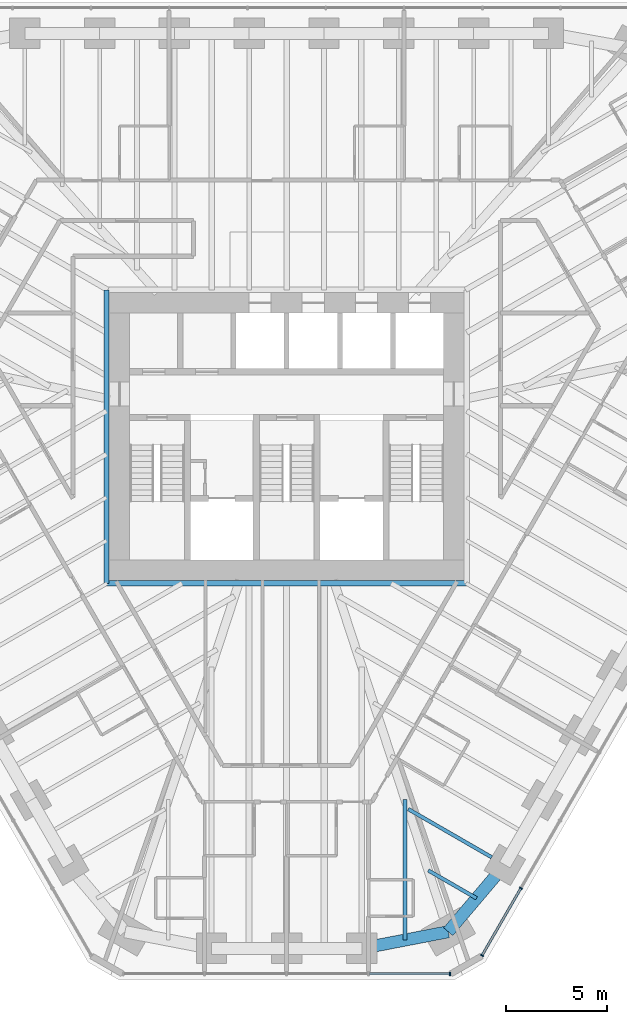
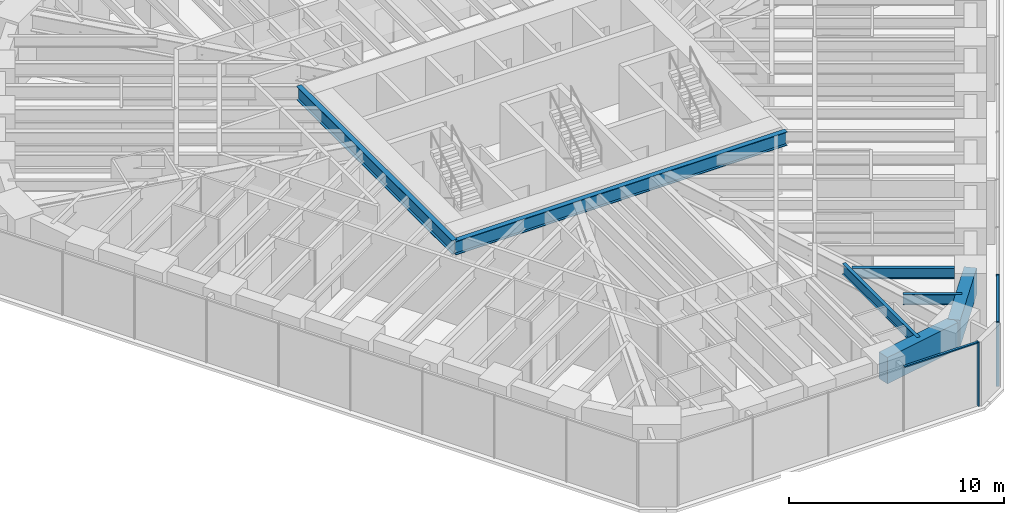
# One storey, part 4 of 17: 7 beams, 5 members, 2 elements without a shape of their own.
"""IFC4 building model written with IfcOpenShell, lengths in metres."""

from ifc_helpers import new_model, si_unit, direction, frame, origin, origin_2d, place, context, subcontext, project, spatial, rectangle, i_section, extrude, material, material_profile, profile_set, type_object, element, aggregate, save


model = new_model("IFC4")

# Units and contexts
model_context = context("Model", 3, precision=1e-05, world=origin(), true_north=direction((0.0, 1.0)))
body_context = subcontext(model_context, "Body", "Model", "MODEL_VIEW")
ifc_project = project(units=[si_unit("LENGTHUNIT", "METRE"), si_unit("AREAUNIT", "SQUARE_METRE"), si_unit("VOLUMEUNIT", "CUBIC_METRE"), si_unit("PLANEANGLEUNIT", "RADIAN"), si_unit("MASSUNIT", "GRAM", prefix="KILO")], contexts=[model_context])

# Site, building, storey
site_placement = place(None, origin())
site = spatial("IfcSite", under=ifc_project, at=site_placement, CompositionType="ELEMENT")
building_placement = place(site_placement, origin())
building = spatial("IfcBuilding", under=site, at=building_placement, Name="Sandreach Pilgrim Tower", CompositionType="ELEMENT")
storey_placement = place(building_placement, frame((0.0, 0.0, 217.39990234375)))
storey = spatial("IfcBuildingStorey", under=building, at=storey_placement, Name="L54", CompositionType="ELEMENT", Elevation=217.39990234375)

# Curtain wall, members
ifc_material_1 = material(Name="Aluminium framed curtain wall", Category="aluminium")
curtain_wall_type = type_object("IfcCurtainWallType", Name="Upper hotel tower curtain wall", PredefinedType="NOTDEFINED", material=ifc_material_1)
curtain_wall_1_placement = place(storey_placement, origin())
curtain_wall_1 = element("IfcCurtainWall", 1, at=curtain_wall_1_placement, inside=storey, type_object=curtain_wall_type, Name="CW-3 L54 SE", PredefinedType="NOTDEFINED")
ifc_material_2 = material(Name="Aluminium extrusion", Category="aluminium")
ifc_material_profile_1 = material_profile(ifc_material_2, rectangle(XDim=0.06494140625, YDim=0.159912109375, at=origin_2d()), Name="CW-3M 65X160")
ifc_profile_set_1 = profile_set([ifc_material_profile_1], Name="Aluminium extrusion")
member_type_1 = type_object("IfcMemberType", Name="CW-3 mullion", PredefinedType="MULLION", material=ifc_profile_set_1)
member_1_placement = place(storey_placement, frame((11.5625, -22.29345703125, 0.0), z_axis=(0.0, 0.0, 1.0), x_axis=(-0.5, -0.866025403784, 0.0)))
member_1 = element("IfcMember", 2, at=member_1_placement, type_object=member_type_1, Name="CW-3 mullion 9", PredefinedType="MULLION", context=body_context, shape_type="SweptSolid", body=[
    extrude(rectangle(XDim=0.06494140625, YDim=0.159912109375, at=origin_2d()), origin(), (0.0, 0.0, 1.0), 3.64013671875),
])
member_2_placement = place(storey_placement, frame((9.646484375, -25.612060546875, 0.0), z_axis=(0.0, 0.0, 1.0), x_axis=(-0.5, -0.866025403784, 0.0)))
member_2 = element("IfcMember", 3, at=member_2_placement, type_object=member_type_1, Name="CW-3 mullion 10", PredefinedType="MULLION", context=body_context, shape_type="SweptSolid", body=[
    extrude(rectangle(XDim=0.06494140625, YDim=0.159912109375, at=origin_2d()), origin(), (0.0, 0.0, 1.0), 3.64013671875),
])

# Curtain wall, member
curtain_wall_2_placement = place(storey_placement, origin())
curtain_wall_2 = element("IfcCurtainWall", 4, at=curtain_wall_2_placement, inside=storey, type_object=curtain_wall_type, Name="CW-3 L54 S", PredefinedType="NOTDEFINED")
member_3_placement = place(storey_placement, frame((8.06494140625, -26.525146484375, 0.0), z_axis=(0.0, 0.0, 1.0), x_axis=(-1.0, 0.0, 0.0)))
member_3 = element("IfcMember", 5, at=member_3_placement, type_object=member_type_1, Name="CW-3 mullion 1", PredefinedType="MULLION", context=body_context, shape_type="SweptSolid", body=[
    extrude(rectangle(XDim=0.06494140625, YDim=0.159912109375, at=origin_2d()), origin(), (0.0, 0.0, 1.0), 3.64013671875),
])

# Member
ifc_material_3 = material(Name="Aluminium extrusion", Category="aluminium")
ifc_material_profile_2 = material_profile(ifc_material_3, rectangle(XDim=0.1201171875, YDim=0.070068359375, at=origin_2d()), Name="CW-3T 120X70")
ifc_profile_set_2 = profile_set([ifc_material_profile_2], Name="Aluminium extrusion")
member_type_2 = type_object("IfcMemberType", Name="CW-3 transom", PredefinedType="USERDEFINED", material=ifc_profile_set_2)
member_4_placement = place(storey_placement, frame((11.546142578125, -22.321533203125, 3.60498046875), z_axis=(-0.499973055223, -0.8660409598, 0.0), x_axis=(0.8660409598, -0.499973055223, 0.0)))
member_4 = element("IfcMember", 6, at=member_4_placement, type_object=member_type_2, Name="CW-3 head transom 9", ObjectType="TRANSOM", PredefinedType="USERDEFINED", context=body_context, shape_type="SweptSolid", body=[
    extrude(rectangle(XDim=0.1201171875, YDim=0.070068359375, at=origin_2d()), origin(), (0.0, 0.0, 1.0), 3.766845703125),
])

aggregate(curtain_wall_1, [member_1, member_2, member_4])

member_5_placement = place(storey_placement, frame((8.032470703125, -26.525146484375, 3.60498046875), z_axis=(-1.0, 0.0, 0.0), x_axis=(0.0, -1.0, 0.0)))
member_5 = element("IfcMember", 7, at=member_5_placement, type_object=member_type_2, Name="CW-3 head transom 1", ObjectType="TRANSOM", PredefinedType="USERDEFINED", context=body_context, shape_type="SweptSolid", body=[
    extrude(rectangle(XDim=0.1201171875, YDim=0.070068359375, at=origin_2d()), origin(), (0.0, 0.0, 1.0), 3.951171875),
])

aggregate(curtain_wall_2, [member_3, member_5])

# Beams
ifc_material_4 = material(Name="Steel ASTM A992 Grade 50", Category="steel")
ifc_material_profile_3 = material_profile(ifc_material_4, i_section(OverallWidth=0.2666015625, OverallDepth=0.77978515625, WebThickness=0.0166015625, FlangeThickness=0.030029296875, at=origin_2d()), Name="W30X148")
ifc_profile_set_3 = profile_set([ifc_material_profile_3], Name="Steel ASTM A992 Grade 50")
beam_type_1 = type_object("IfcBeamType", Name="Core edge beam W30X148", PredefinedType="BEAM", material=ifc_profile_set_3)
beam_1_placement = place(storey_placement, frame((8.893310546875, -7.243408203125, 3.250244140625), z_axis=(-1.0, 0.0, 0.0), x_axis=(0.0, -1.0, 0.0)))
element("IfcBeam", 8, at=beam_1_placement, inside=storey, type_object=beam_type_1, Name="BM L54 CES", PredefinedType="BEAM", context=body_context, shape_type="SweptSolid", body=[
    extrude(i_section(OverallWidth=0.2666015625, OverallDepth=0.77978515625, WebThickness=0.0166015625, FlangeThickness=0.030029296875, at=origin_2d()), origin(), (0.0, 0.0, 1.0), 17.78662109375),
])
beam_2_placement = place(storey_placement, frame((-8.893310546875, -7.243408203125, 3.250244140625), z_axis=(0.0, 1.0, 0.0), x_axis=(-1.0, 0.0, 0.0)))
element("IfcBeam", 9, at=beam_2_placement, inside=storey, type_object=beam_type_1, Name="BM L54 CEW", PredefinedType="BEAM", context=body_context, shape_type="SweptSolid", body=[
    extrude(i_section(OverallWidth=0.2666015625, OverallDepth=0.77978515625, WebThickness=0.0166015625, FlangeThickness=0.030029296875, at=origin_2d()), origin(), (0.0, 0.0, 1.0), 14.48681640625),
])
ifc_material_5 = material(Name="Steel ASTM A992 Grade 50", Category="steel")
ifc_material_profile_4 = material_profile(ifc_material_5, i_section(OverallWidth=0.1787109375, OverallDepth=0.60205078125, WebThickness=0.010986328125, FlangeThickness=0.014892578125, at=origin_2d()), Name="W24X62")
ifc_profile_set_4 = profile_set([ifc_material_profile_4], Name="Steel ASTM A992 Grade 50")
beam_type_2 = type_object("IfcBeamType", Name="Floor beam W24X62", PredefinedType="BEAM", material=ifc_profile_set_4)
beam_3_placement = place(storey_placement, frame((10.12255859375, -20.767333984375, 3.339111328125), z_axis=(-0.86603347311, 0.499986023258, 0.0), x_axis=(-0.499986023258, -0.86603347311, 0.0)))
element("IfcBeam", 10, at=beam_3_placement, inside=storey, type_object=beam_type_2, Name="BM L54 F21", PredefinedType="BEAM", context=body_context, shape_type="SweptSolid", body=[
    extrude(i_section(OverallWidth=0.1787109375, OverallDepth=0.60205078125, WebThickness=0.010986328125, FlangeThickness=0.014892578125, at=origin_2d()), origin(), (0.0, 0.0, 1.0), 4.757568359375),
])
beam_4_placement = place(storey_placement, frame((9.375244140625, -22.7919921875, 3.339111328125), z_axis=(-0.866046803606, 0.49996293259, 0.0), x_axis=(-0.49996293259, -0.866046803606, 0.0)))
element("IfcBeam", 11, at=beam_4_placement, inside=storey, type_object=beam_type_2, Name="BM L54 FM21", PredefinedType="BEAM", context=body_context, shape_type="SweptSolid", body=[
    extrude(i_section(OverallWidth=0.1787109375, OverallDepth=0.60205078125, WebThickness=0.010986328125, FlangeThickness=0.014892578125, at=origin_2d()), origin(), (0.0, 0.0, 1.0), 2.753662109375),
])
beam_5_placement = place(storey_placement, frame((5.844482421875, -24.853515625, 3.339111328125), z_axis=(0.0, 1.0, 0.0), x_axis=(-1.0, 0.0, 0.0)))
element("IfcBeam", 12, at=beam_5_placement, inside=storey, type_object=beam_type_2, Name="BM L54 FM22", PredefinedType="BEAM", context=body_context, shape_type="SweptSolid", body=[
    extrude(i_section(OverallWidth=0.1787109375, OverallDepth=0.60205078125, WebThickness=0.010986328125, FlangeThickness=0.014892578125, at=origin_2d()), origin(), (0.0, 0.0, 1.0), 6.94921875),
])
ifc_material_6 = material(Name="Concrete 10000 psi", Category="concrete")
ifc_material_profile_5 = material_profile(ifc_material_6, rectangle(XDim=0.60009765625, YDim=1.5, at=origin_2d()), Name="RC600X1500")
ifc_profile_set_5 = profile_set([ifc_material_profile_5], Name="Concrete 10000 psi")
beam_type_3 = type_object("IfcBeamType", Name="Spandrel beam RC600X1500", PredefinedType="SPANDREL", material=ifc_profile_set_5)
beam_6_placement = place(storey_placement, frame((10.772216796875, -21.142333984375, 2.89013671875), z_axis=(-0.646180160755, -0.76318490541, 0.0), x_axis=(0.76318490541, -0.646180160755, 0.0)))
element("IfcBeam", 13, at=beam_6_placement, inside=storey, type_object=beam_type_3, Name="BM L54 SP21", PredefinedType="SPANDREL", context=body_context, shape_type="SweptSolid", body=[
    extrude(rectangle(XDim=0.60009765625, YDim=1.5, at=origin_2d()), origin(), (0.0, 0.0, 1.0), 4.323486328125),
])
beam_7_placement = place(storey_placement, frame((7.978515625, -24.44189453125, 2.89013671875), z_axis=(-0.981901333807, -0.18939316426, 0.0), x_axis=(0.18939316426, -0.981901333807, 0.0)))
element("IfcBeam", 14, at=beam_7_placement, inside=storey, type_object=beam_type_3, Name="BM L54 SP22", PredefinedType="SPANDREL", context=body_context, shape_type="SweptSolid", body=[
    extrude(rectangle(XDim=0.60009765625, YDim=1.5, at=origin_2d()), origin(), (0.0, 0.0, 1.0), 4.3466796875),
])

save(model, "model.ifc")
